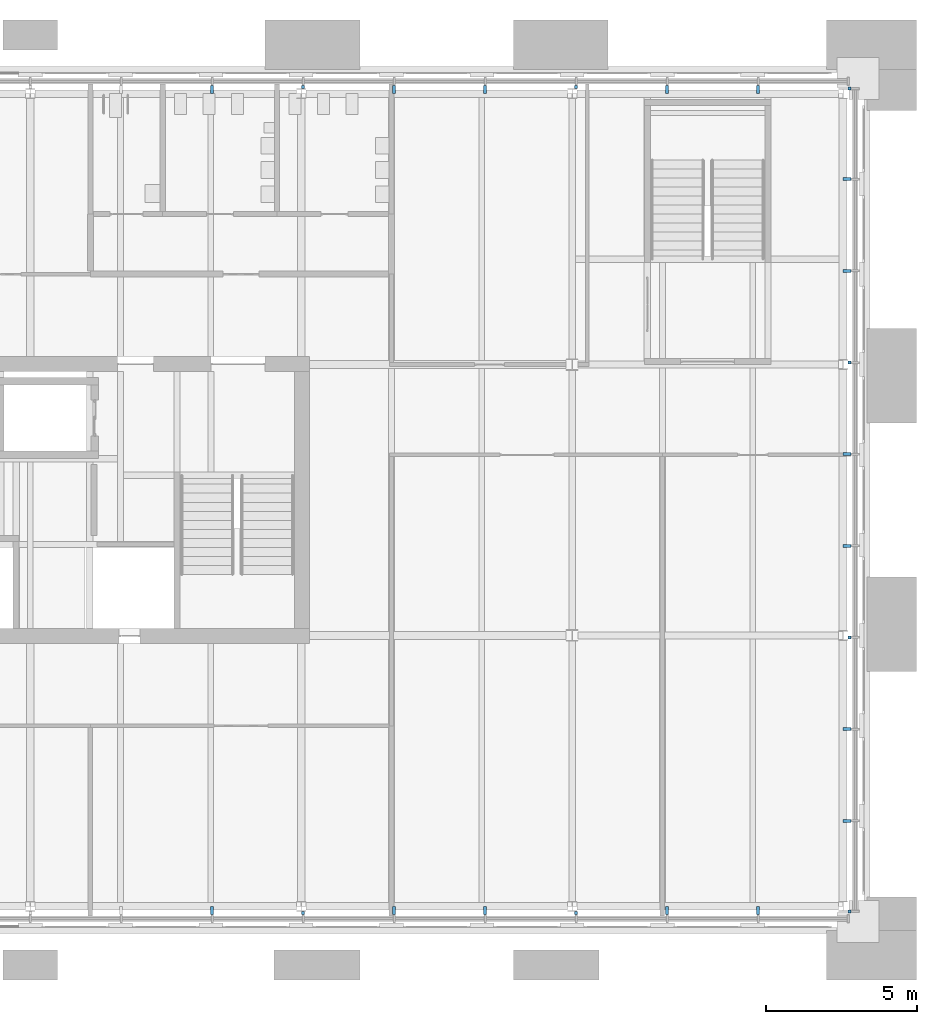
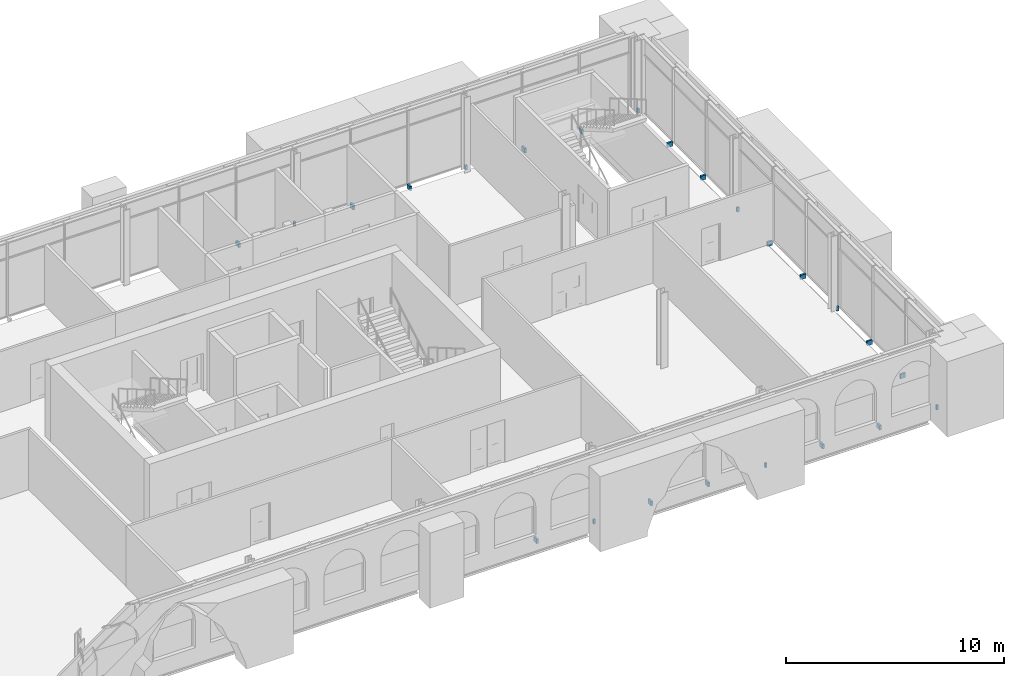
# One storey, part 18 of 22: 24 discrete accessories.
"""IFC4 building model written with IfcOpenShell, lengths in metres."""

from ifc_helpers import new_model, si_unit, direction, frame, origin, origin_2d, place, context, subcontext, project, spatial, rectangle, extrude, material, type_object, element, save


model = new_model("IFC4")

# Units and contexts
model_context = context("Model", 3, precision=1e-05, world=origin(), true_north=direction((0.0, 1.0)))
body_context = subcontext(model_context, "Body", "Model", "MODEL_VIEW")
ifc_project = project(units=[si_unit("LENGTHUNIT", "METRE"), si_unit("AREAUNIT", "SQUARE_METRE"), si_unit("VOLUMEUNIT", "CUBIC_METRE"), si_unit("PLANEANGLEUNIT", "RADIAN"), si_unit("MASSUNIT", "GRAM", prefix="KILO")], contexts=[model_context])

# Site, building, storey
site_placement = place(None, origin())
site = spatial("IfcSite", under=ifc_project, at=site_placement, CompositionType="ELEMENT")
building_placement = place(site_placement, origin())
building = spatial("IfcBuilding", under=site, at=building_placement, Name="Baradari Gate Terminus", CompositionType="ELEMENT")
storey_placement = place(building_placement, frame((0.0, 0.0, 28.5)))
storey = spatial("IfcBuildingStorey", under=building, at=storey_placement, Name="L06", CompositionType="ELEMENT", Elevation=28.5)

# Discrete accessories
ifc_material = material(Name="Aluminium 6063-T6", Category="aluminium")
discrete_accessory_type = type_object("IfcDiscreteAccessoryType", Name="Curtain wall bracket BK-1 100x250", PredefinedType="BRACKET", material=ifc_material)
discrete_accessory_1_placement = place(storey_placement, frame((42.04443359375, 116.864990234375, -0.1298828125), z_axis=(0.0, 0.0, 1.0), x_axis=(0.0, -1.0, 0.0)))
element("IfcDiscreteAccessory", 1, at=discrete_accessory_1_placement, inside=storey, type_object=discrete_accessory_type, Name="Curtain wall bracket L06/TS mullion 12", PredefinedType="BRACKET", context=body_context, shape_type="SweptSolid", body=[
    extrude(rectangle(XDim=0.27001953125, YDim=0.10009765625, at=origin_2d()), origin(), (0.0, 0.0, 1.0), 0.25),
])
discrete_accessory_2_placement = place(storey_placement, frame((45.066650390625, 116.780029296875, -0.10009765625), z_axis=(0.0, 0.0, 1.0), x_axis=(0.0, -1.0, 0.0)))
element("IfcDiscreteAccessory", 2, at=discrete_accessory_2_placement, inside=storey, type_object=discrete_accessory_type, Name="Curtain wall bracket L06/TS mullion 13", PredefinedType="BRACKET", context=body_context, shape_type="SweptSolid", body=[
    extrude(rectangle(XDim=0.10009765625, YDim=0.10009765625, at=origin_2d()), origin(), (0.0, 0.0, 1.0), 0.25),
])
for number, where, z_axis, x_axis, name in (
    (3, (48.0888671875, 116.864990234375, -0.1298828125), (0.0, 0.0, 1.0), (0.0, -1.0, 0.0), "Curtain wall bracket L06/TS mullion 14"),
    (4, (51.111083984375, 116.864990234375, -0.1298828125), (0.0, 0.0, 1.0), (0.0, -1.0, 0.0), "Curtain wall bracket L06/TS mullion 15"),
):
    element("IfcDiscreteAccessory", number, at=place(storey_placement, frame(where, z_axis=z_axis, x_axis=x_axis)), inside=storey, type_object=discrete_accessory_type, Name=name, PredefinedType="BRACKET", context=body_context, shape_type="SweptSolid", body=[
        extrude(rectangle(XDim=0.27001953125, YDim=0.10009765625, at=origin_2d()), origin(), (0.0, 0.0, 1.0), 0.25),
    ])
discrete_accessory_3_placement = place(storey_placement, frame((54.13330078125, 116.780029296875, -0.1298828125), z_axis=(0.0, 0.0, 1.0), x_axis=(0.0, -1.0, 0.0)))
element("IfcDiscreteAccessory", 5, at=discrete_accessory_3_placement, inside=storey, type_object=discrete_accessory_type, Name="Curtain wall bracket L06/TS mullion 16", PredefinedType="BRACKET", context=body_context, shape_type="SweptSolid", body=[
    extrude(rectangle(XDim=0.10009765625, YDim=0.10009765625, at=origin_2d()), origin(), (0.0, 0.0, 1.0), 0.25),
])
for number, where, z_axis, x_axis, name in (
    (6, (57.155517578125, 116.864990234375, -0.1298828125), (0.0, 0.0, 1.0), (0.0, -1.0, 0.0), "Curtain wall bracket L06/TS mullion 17"),
    (7, (60.177734375, 116.864990234375, -0.1298828125), (0.0, 0.0, 1.0), (0.0, -1.0, 0.0), "Curtain wall bracket L06/TS mullion 18"),
):
    element("IfcDiscreteAccessory", number, at=place(storey_placement, frame(where, z_axis=z_axis, x_axis=x_axis)), inside=storey, type_object=discrete_accessory_type, Name=name, PredefinedType="BRACKET", context=body_context, shape_type="SweptSolid", body=[
        extrude(rectangle(XDim=0.27001953125, YDim=0.10009765625, at=origin_2d()), origin(), (0.0, 0.0, 1.0), 0.25),
    ])
discrete_accessory_4_placement = place(storey_placement, frame((63.213623046875, 116.83251953125, -0.10009765625), z_axis=(0.0, 0.0, 1.0), x_axis=(1.0, 0.0, 0.0)))
element("IfcDiscreteAccessory", 8, at=discrete_accessory_4_placement, inside=storey, type_object=discrete_accessory_type, Name="Curtain wall bracket L06/TE mullion 1", PredefinedType="BRACKET", context=body_context, shape_type="SweptSolid", body=[
    extrude(rectangle(XDim=0.11279296875, YDim=0.10009765625, at=origin_2d()), origin(), (0.0, 0.0, 1.0), 0.25),
])
for number, where, z_axis, x_axis, name in (
    (9, (63.135009765625, 119.844482421875, -0.1298828125), (0.0, 0.0, 1.0), (1.0, 0.0, 0.0), "Curtain wall bracket L06/TE mullion 2"),
    (10, (63.135009765625, 122.888916015625, -0.1298828125), (0.0, 0.0, 1.0), (1.0, 0.0, 0.0), "Curtain wall bracket L06/TE mullion 3"),
):
    element("IfcDiscreteAccessory", number, at=place(storey_placement, frame(where, z_axis=z_axis, x_axis=x_axis)), inside=storey, type_object=discrete_accessory_type, Name=name, PredefinedType="BRACKET", context=body_context, shape_type="SweptSolid", body=[
        extrude(rectangle(XDim=0.27001953125, YDim=0.10009765625, at=origin_2d()), origin(), (0.0, 0.0, 1.0), 0.25),
    ])
discrete_accessory_5_placement = place(storey_placement, frame((63.213623046875, 125.933349609375, -0.10009765625), z_axis=(0.0, 0.0, 1.0), x_axis=(1.0, 0.0, 0.0)))
element("IfcDiscreteAccessory", 11, at=discrete_accessory_5_placement, inside=storey, type_object=discrete_accessory_type, Name="Curtain wall bracket L06/TE mullion 4", PredefinedType="BRACKET", context=body_context, shape_type="SweptSolid", body=[
    extrude(rectangle(XDim=0.11279296875, YDim=0.10009765625, at=origin_2d()), origin(), (0.0, 0.0, 1.0), 0.25),
])
for number, where, z_axis, x_axis, name in (
    (12, (63.135009765625, 128.977783203125, -0.1298828125), (0.0, 0.0, 1.0), (1.0, 0.0, 0.0), "Curtain wall bracket L06/TE mullion 5"),
    (13, (63.135009765625, 132.022216796875, -0.1298828125), (0.0, 0.0, 1.0), (1.0, 0.0, 0.0), "Curtain wall bracket L06/TE mullion 6"),
):
    element("IfcDiscreteAccessory", number, at=place(storey_placement, frame(where, z_axis=z_axis, x_axis=x_axis)), inside=storey, type_object=discrete_accessory_type, Name=name, PredefinedType="BRACKET", context=body_context, shape_type="SweptSolid", body=[
        extrude(rectangle(XDim=0.27001953125, YDim=0.10009765625, at=origin_2d()), origin(), (0.0, 0.0, 1.0), 0.25),
    ])
discrete_accessory_6_placement = place(storey_placement, frame((63.213623046875, 135.066650390625, -0.10009765625), z_axis=(0.0, 0.0, 1.0), x_axis=(1.0, 0.0, 0.0)))
element("IfcDiscreteAccessory", 14, at=discrete_accessory_6_placement, inside=storey, type_object=discrete_accessory_type, Name="Curtain wall bracket L06/TE mullion 7", PredefinedType="BRACKET", context=body_context, shape_type="SweptSolid", body=[
    extrude(rectangle(XDim=0.11279296875, YDim=0.10009765625, at=origin_2d()), origin(), (0.0, 0.0, 1.0), 0.25),
])
for number, where, z_axis, x_axis, name in (
    (15, (63.135009765625, 138.111083984375, -0.1298828125), (0.0, 0.0, 1.0), (1.0, 0.0, 0.0), "Curtain wall bracket L06/TE mullion 8"),
    (16, (63.135009765625, 141.155517578125, -0.1298828125), (0.0, 0.0, 1.0), (1.0, 0.0, 0.0), "Curtain wall bracket L06/TE mullion 9"),
):
    element("IfcDiscreteAccessory", number, at=place(storey_placement, frame(where, z_axis=z_axis, x_axis=x_axis)), inside=storey, type_object=discrete_accessory_type, Name=name, PredefinedType="BRACKET", context=body_context, shape_type="SweptSolid", body=[
        extrude(rectangle(XDim=0.27001953125, YDim=0.10009765625, at=origin_2d()), origin(), (0.0, 0.0, 1.0), 0.25),
    ])
discrete_accessory_7_placement = place(storey_placement, frame((63.213623046875, 144.16748046875, -0.10009765625), z_axis=(0.0, 0.0, 1.0), x_axis=(1.0, 0.0, 0.0)))
element("IfcDiscreteAccessory", 17, at=discrete_accessory_7_placement, inside=storey, type_object=discrete_accessory_type, Name="Curtain wall bracket L06/TE mullion 10", PredefinedType="BRACKET", context=body_context, shape_type="SweptSolid", body=[
    extrude(rectangle(XDim=0.11279296875, YDim=0.10009765625, at=origin_2d()), origin(), (0.0, 0.0, 1.0), 0.25),
])
for number, where, z_axis, x_axis, name in (
    (18, (60.177734375, 144.135009765625, -0.1298828125), (0.0, 0.0, 1.0), (0.0, 1.0, 0.0), "Curtain wall bracket L06/TN mullion 2"),
    (19, (57.155517578125, 144.135009765625, -0.1298828125), (0.0, 0.0, 1.0), (0.0, 1.0, 0.0), "Curtain wall bracket L06/TN mullion 3"),
):
    element("IfcDiscreteAccessory", number, at=place(storey_placement, frame(where, z_axis=z_axis, x_axis=x_axis)), inside=storey, type_object=discrete_accessory_type, Name=name, PredefinedType="BRACKET", context=body_context, shape_type="SweptSolid", body=[
        extrude(rectangle(XDim=0.27001953125, YDim=0.10009765625, at=origin_2d()), origin(), (0.0, 0.0, 1.0), 0.25),
    ])
discrete_accessory_8_placement = place(storey_placement, frame((54.13330078125, 144.219970703125, -0.1298828125), z_axis=(0.0, 0.0, 1.0), x_axis=(0.0, 1.0, 0.0)))
element("IfcDiscreteAccessory", 20, at=discrete_accessory_8_placement, inside=storey, type_object=discrete_accessory_type, Name="Curtain wall bracket L06/TN mullion 4", PredefinedType="BRACKET", context=body_context, shape_type="SweptSolid", body=[
    extrude(rectangle(XDim=0.10009765625, YDim=0.10009765625, at=origin_2d()), origin(), (0.0, 0.0, 1.0), 0.25),
])
for number, where, z_axis, x_axis, name in (
    (21, (51.111083984375, 144.135009765625, -0.1298828125), (0.0, 0.0, 1.0), (0.0, 1.0, 0.0), "Curtain wall bracket L06/TN mullion 5"),
    (22, (48.0888671875, 144.135009765625, -0.1298828125), (0.0, 0.0, 1.0), (0.0, 1.0, 0.0), "Curtain wall bracket L06/TN mullion 6"),
):
    element("IfcDiscreteAccessory", number, at=place(storey_placement, frame(where, z_axis=z_axis, x_axis=x_axis)), inside=storey, type_object=discrete_accessory_type, Name=name, PredefinedType="BRACKET", context=body_context, shape_type="SweptSolid", body=[
        extrude(rectangle(XDim=0.27001953125, YDim=0.10009765625, at=origin_2d()), origin(), (0.0, 0.0, 1.0), 0.25),
    ])
discrete_accessory_9_placement = place(storey_placement, frame((45.066650390625, 144.219970703125, -0.10009765625), z_axis=(0.0, 0.0, 1.0), x_axis=(0.0, 1.0, 0.0)))
element("IfcDiscreteAccessory", 23, at=discrete_accessory_9_placement, inside=storey, type_object=discrete_accessory_type, Name="Curtain wall bracket L06/TN mullion 7", PredefinedType="BRACKET", context=body_context, shape_type="SweptSolid", body=[
    extrude(rectangle(XDim=0.10009765625, YDim=0.10009765625, at=origin_2d()), origin(), (0.0, 0.0, 1.0), 0.25),
])
discrete_accessory_10_placement = place(storey_placement, frame((42.04443359375, 144.135009765625, -0.1298828125), z_axis=(0.0, 0.0, 1.0), x_axis=(0.0, 1.0, 0.0)))
element("IfcDiscreteAccessory", 24, at=discrete_accessory_10_placement, inside=storey, type_object=discrete_accessory_type, Name="Curtain wall bracket L06/TN mullion 8", PredefinedType="BRACKET", context=body_context, shape_type="SweptSolid", body=[
    extrude(rectangle(XDim=0.27001953125, YDim=0.10009765625, at=origin_2d()), origin(), (0.0, 0.0, 1.0), 0.25),
])

save(model, "model.ifc")
